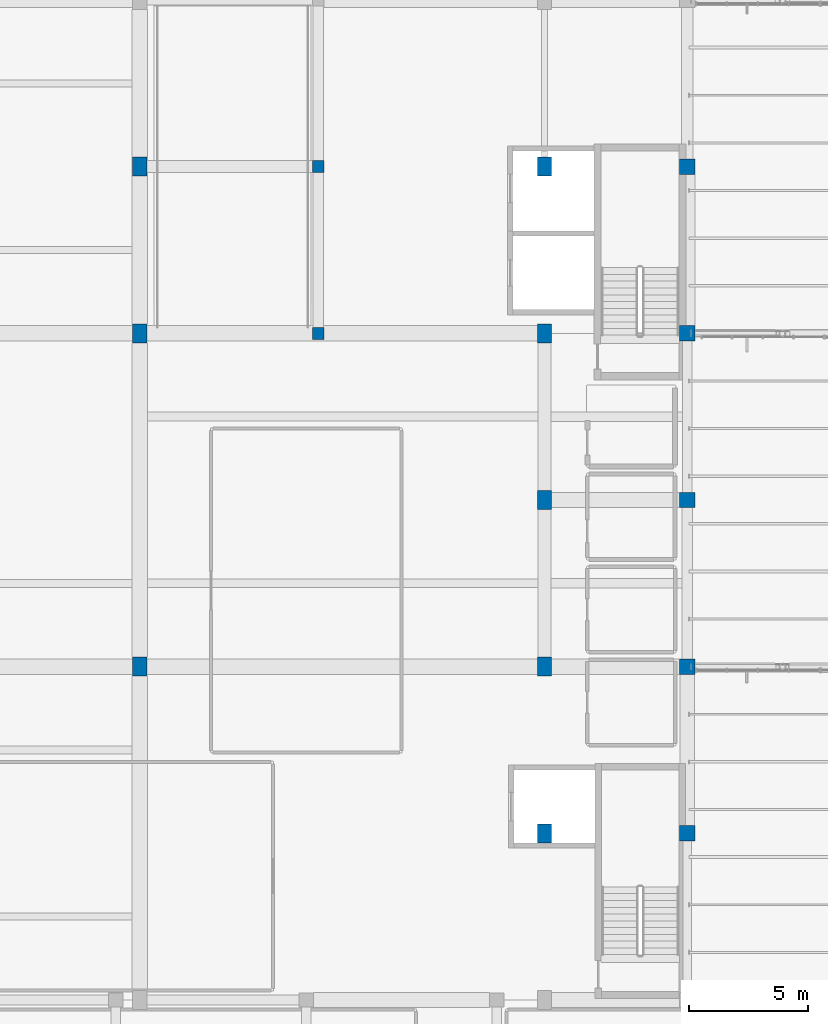
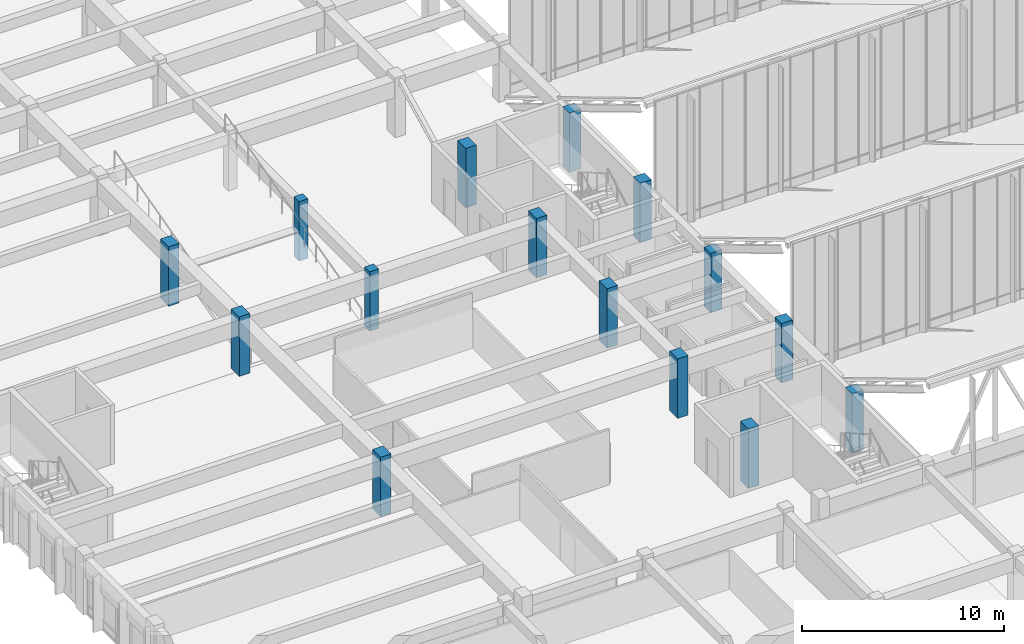
# One storey, part 4 of 155: 15 columns.
"""IFC4 building model written with IfcOpenShell, lengths in metres."""

from ifc_helpers import new_model, si_unit, direction, frame, origin, origin_2d, place, context, subcontext, project, spatial, rectangle, extrude, material, material_profile, profile_set, type_object, element, save


model = new_model("IFC4")

# Units and contexts
model_context = context("Model", 3, precision=1e-05, world=origin(), true_north=direction((0.0, 1.0)))
body_context = subcontext(model_context, "Body", "Model", "MODEL_VIEW")
ifc_project = project(units=[si_unit("LENGTHUNIT", "METRE"), si_unit("AREAUNIT", "SQUARE_METRE"), si_unit("VOLUMEUNIT", "CUBIC_METRE"), si_unit("PLANEANGLEUNIT", "RADIAN"), si_unit("MASSUNIT", "GRAM", prefix="KILO")], contexts=[model_context])

# Site, building, storey
site_placement = place(None, origin())
site = spatial("IfcSite", under=ifc_project, at=site_placement, CompositionType="ELEMENT")
building_placement = place(site_placement, origin())
building = spatial("IfcBuilding", under=site, at=building_placement, Name="Larkveld Mobility Hub", CompositionType="ELEMENT")
storey_placement = place(building_placement, frame((0.0, 0.0, 8.39990234375)))
storey = spatial("IfcBuildingStorey", under=building, at=storey_placement, Name="L02", CompositionType="ELEMENT", Elevation=8.39990234375)

# Columns
ifc_material_1 = material(Name="Precast concrete C50/60", Category="concrete")
ifc_material_profile_1 = material_profile(ifc_material_1, rectangle(XDim=0.60009765625, YDim=0.800048828125, at=origin_2d()), Name="RC COL 600x800")
ifc_profile_set_1 = profile_set([ifc_material_profile_1], Name="Precast concrete C50/60")
column_type_1 = type_object("IfcColumnType", Name="CL-PC6080", PredefinedType="COLUMN", material=ifc_profile_set_1)
for number, where, z_axis, x_axis, name in (
    (1, (129.0, 42.0, 0.0), (0.0, 0.0, 1.0), (1.0, 0.0, 0.0), "Column EV-X129-Y42 (L02)"),
    (2, (129.0, 56.0, 0.0), (0.0, 0.0, 1.0), (1.0, 0.0, 0.0), "Column EV-X129-Y56 (L02)"),
    (3, (146.0, 35.0, 0.0), (0.0, 0.0, 1.0), (1.0, 0.0, 0.0), "Column EV-X146-Y35 (L02)"),
    (4, (146.0, 42.0, 0.0), (0.0, 0.0, 1.0), (1.0, 0.0, 0.0), "Column EV-X146-Y42 (L02)"),
    (5, (146.0, 49.0, 0.0), (0.0, 0.0, 1.0), (1.0, 0.0, 0.0), "Column EV-X146-Y49 (L02)"),
    (6, (146.0, 56.0, 0.0), (0.0, 0.0, 1.0), (1.0, 0.0, 0.0), "Column EV-X146-Y56 (L02)"),
    (7, (146.0, 63.0, 0.0), (0.0, 0.0, 1.0), (1.0, 0.0, 0.0), "Column EV-X146-Y63 (L02)"),
    (8, (129.0, 63.0, 0.0), (0.0, 0.0, 1.0), (1.0, 0.0, 0.0), "Column EVR-X1290-Y63 (L02)"),
):
    element("IfcColumn", number, at=place(storey_placement, frame(where, z_axis=z_axis, x_axis=x_axis)), inside=storey, type_object=column_type_1, Name=name, PredefinedType="COLUMN", context=body_context, shape_type="SweptSolid", body=[
        extrude(rectangle(XDim=0.60009765625, YDim=0.800048828125, at=origin_2d()), origin(), (0.0, 0.0, 1.0), 3.60009765625),
    ])
ifc_material_2 = material(Name="Concrete C40/50", Category="concrete")
ifc_material_profile_2 = material_profile(ifc_material_2, rectangle(XDim=0.5, YDim=0.5, at=origin_2d()), Name="RC COL 500x500")
ifc_profile_set_2 = profile_set([ifc_material_profile_2], Name="Concrete C40/50")
column_type_2 = type_object("IfcColumnType", Name="CL-RC500", PredefinedType="COLUMN", material=ifc_profile_set_2)
for number, where, z_axis, x_axis, name in (
    (9, (136.5, 56.0, 0.0), (0.0, 0.0, 1.0), (1.0, 0.0, 0.0), "Column EVR-X1365-Y56 (L02)"),
    (10, (136.5, 63.0, 0.0), (0.0, 0.0, 1.0), (1.0, 0.0, 0.0), "Column EVR-X1365-Y63 (L02)"),
):
    element("IfcColumn", number, at=place(storey_placement, frame(where, z_axis=z_axis, x_axis=x_axis)), inside=storey, type_object=column_type_2, Name=name, PredefinedType="COLUMN", context=body_context, shape_type="SweptSolid", body=[
        extrude(rectangle(XDim=0.5, YDim=0.5, at=origin_2d()), origin(), (0.0, 0.0, 1.0), 3.60009765625),
    ])
ifc_material_profile_3 = material_profile(ifc_material_2, rectangle(XDim=0.64990234375, YDim=0.64990234375, at=origin_2d()), Name="RC COL 650x650")
ifc_profile_set_3 = profile_set([ifc_material_profile_3], Name="Concrete C40/50")
column_type_3 = type_object("IfcColumnType", Name="CL-RC650", PredefinedType="COLUMN", material=ifc_profile_set_3)
for number, where, z_axis, x_axis, name in (
    (11, (152.0, 35.0, 0.0), (0.0, 0.0, 1.0), (1.0, 0.0, 0.0), "Column EV-X152-Y35 (L02)"),
    (12, (152.0, 42.0, 0.0), (0.0, 0.0, 1.0), (1.0, 0.0, 0.0), "Column EV-X152-Y42 (L02)"),
    (13, (152.0, 49.0, 0.0), (0.0, 0.0, 1.0), (1.0, 0.0, 0.0), "Column EV-X152-Y49 (L02)"),
    (14, (152.0, 56.0, 0.0), (0.0, 0.0, 1.0), (1.0, 0.0, 0.0), "Column EV-X152-Y56 (L02)"),
    (15, (152.0, 63.0, 0.0), (0.0, 0.0, 1.0), (1.0, 0.0, 0.0), "Column EV-X152-Y63 (L02)"),
):
    element("IfcColumn", number, at=place(storey_placement, frame(where, z_axis=z_axis, x_axis=x_axis)), inside=storey, type_object=column_type_3, Name=name, PredefinedType="COLUMN", context=body_context, shape_type="SweptSolid", body=[
        extrude(rectangle(XDim=0.64990234375, YDim=0.64990234375, at=origin_2d()), origin(), (0.0, 0.0, 1.0), 3.60009765625),
    ])

save(model, "model.ifc")
